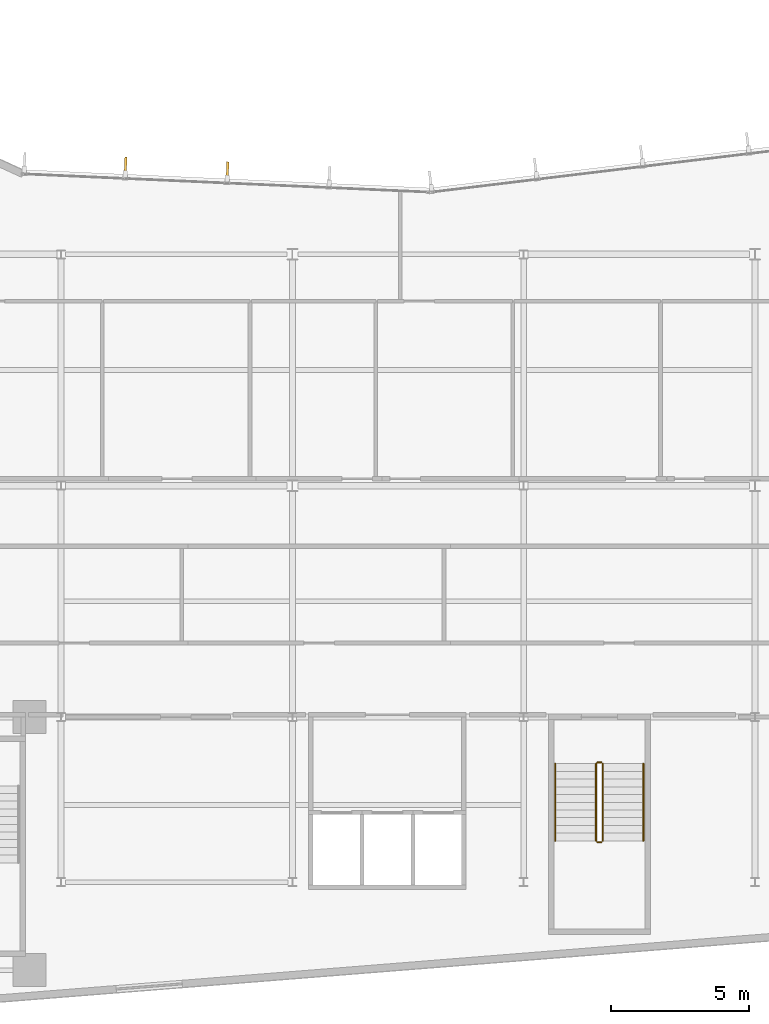
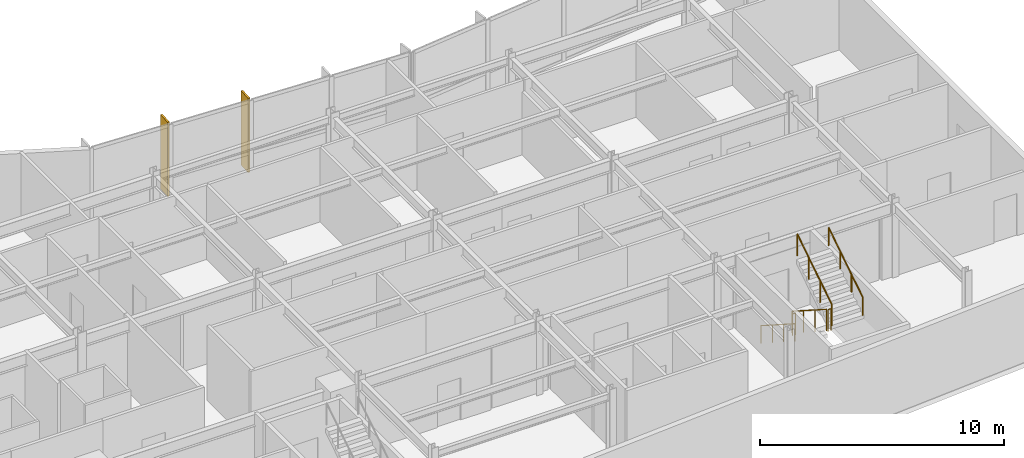
# One storey, part 15 of 18: 6 railings, 2 shading devices.
"""IFC4 building model written with IfcOpenShell, lengths in metres."""

from ifc_helpers import new_model, si_unit, direction, frame, origin, origin_2d, place, context, subcontext, project, spatial, rectangle, circle, extrude, material, layer, layer_set, type_object, element, save


model = new_model("IFC4")

# Units and contexts
model_context = context("Model", 3, precision=1e-05, world=origin(), true_north=direction((0.0, 1.0)))
body_context = subcontext(model_context, "Body", "Model", "MODEL_VIEW")
ifc_project = project(units=[si_unit("LENGTHUNIT", "METRE"), si_unit("AREAUNIT", "SQUARE_METRE"), si_unit("VOLUMEUNIT", "CUBIC_METRE"), si_unit("PLANEANGLEUNIT", "RADIAN"), si_unit("MASSUNIT", "GRAM", prefix="KILO")], contexts=[model_context])

# Site, building, storey
site_placement = place(None, origin())
site = spatial("IfcSite", under=ifc_project, at=site_placement, CompositionType="ELEMENT")
building_placement = place(site_placement, origin())
building = spatial("IfcBuilding", under=site, at=building_placement, Name="Varnakote Quay Hospital", CompositionType="ELEMENT")
storey_placement = place(building_placement, frame((0.0, 0.0, 150.75)))
storey = spatial("IfcBuildingStorey", under=building, at=storey_placement, Name="L37", CompositionType="ELEMENT", Elevation=150.75)

# Railings
ifc_material_1 = material(Name="Brushed stainless steel balustrade", Category="steel")
railing_type_1 = type_object("IfcRailingType", Name="RLG-STAIR-GUARD-1150", PredefinedType="GUARDRAIL", material=ifc_material_1)
railing_1_placement = place(storey_placement, frame((44.6298828125, 10.300048828125, 0.179443359375)))
element("IfcRailing", 1, at=railing_1_placement, inside=storey, type_object=railing_type_1, Name="L37 ST-03 stair guard 1", PredefinedType="GUARDRAIL", context=body_context, shape_type="SweptSolid", body=[
    extrude(circle(Radius=0.02392578125, at=origin_2d()), frame((0.0, 0.0, 1.076171875), z_axis=(0.0, -0.841776520102, 0.539826166654), x_axis=(1.0, 0.0, 0.0)), (0.0, 0.0, 1.0), 3.326416015625),
    extrude(circle(Radius=0.02099609375, at=origin_2d()), origin(), (0.0, 0.0, 1.0), 1.052001953125),
    extrude(circle(Radius=0.02099609375, at=origin_2d()), frame((0.0, -0.933349609375, 0.5986328125)), (0.0, 0.0, 1.0), 1.052001953125),
    extrude(circle(Radius=0.02099609375, at=origin_2d()), frame((0.0, -1.86669921875, 1.197021484375)), (0.0, 0.0, 1.0), 1.052001953125),
    extrude(circle(Radius=0.02099609375, at=origin_2d()), frame((0.0, -2.800048828125, 1.795654296875)), (0.0, 0.0, 1.0), 1.052001953125),
])
railing_2_placement = place(storey_placement, frame((44.679931640625, 7.449951171875, 1.97509765625)))
element("IfcRailing", 2, at=railing_2_placement, inside=storey, type_object=railing_type_1, Name="L37 ST-03 stair guard 2", PredefinedType="GUARDRAIL", context=body_context, shape_type="SweptSolid", body=[
    extrude(circle(Radius=0.02392578125, at=origin_2d()), frame((0.0, 0.0, 1.076171875), z_axis=(1.0, 0.0, 0.0), x_axis=(0.0, 1.0, 0.0)), (0.0, 0.0, 1.0), 0.14013671875),
    extrude(circle(Radius=0.02099609375, at=origin_2d()), origin(), (0.0, 0.0, 1.0), 1.052001953125),
    extrude(circle(Radius=0.02099609375, at=origin_2d()), frame((0.14013671875, 0.0, 0.0)), (0.0, 0.0, 1.0), 1.052001953125),
])
railing_3_placement = place(storey_placement, frame((44.8701171875, 7.5, 2.154541015625)))
element("IfcRailing", 3, at=railing_3_placement, inside=storey, type_object=railing_type_1, Name="L37 ST-03 stair guard 3", PredefinedType="GUARDRAIL", context=body_context, shape_type="SweptSolid", body=[
    extrude(circle(Radius=0.02392578125, at=origin_2d()), frame((0.0, 0.0, 1.076171875), z_axis=(0.0, 0.841809871826, 0.539774156196), x_axis=(-1.0, 0.0, 0.0)), (0.0, 0.0, 1.0), 3.326171875),
    extrude(circle(Radius=0.02099609375, at=origin_2d()), origin(), (0.0, 0.0, 1.0), 1.052001953125),
    extrude(circle(Radius=0.02099609375, at=origin_2d()), frame((0.0, 0.933349609375, 0.598388671875)), (0.0, 0.0, 1.0), 1.052001953125),
    extrude(circle(Radius=0.02099609375, at=origin_2d()), frame((0.0, 1.86669921875, 1.197021484375)), (0.0, 0.0, 1.0), 1.052001953125),
    extrude(circle(Radius=0.02099609375, at=origin_2d()), frame((0.0, 2.800048828125, 1.79541015625)), (0.0, 0.0, 1.0), 1.052001953125),
])
railing_4_placement = place(storey_placement, frame((44.679931640625, 10.35009765625, 0.0)))
element("IfcRailing", 4, at=railing_4_placement, inside=storey, type_object=railing_type_1, Name="L37 ST-03 stair guard 4", PredefinedType="GUARDRAIL", context=body_context, shape_type="SweptSolid", body=[
    extrude(circle(Radius=0.02392578125, at=origin_2d()), frame((0.0, 0.0, 1.076171875), z_axis=(1.0, 0.0, 0.0), x_axis=(0.0, 1.0, 0.0)), (0.0, 0.0, 1.0), 0.14013671875),
    extrude(circle(Radius=0.02099609375, at=origin_2d()), origin(), (0.0, 0.0, 1.0), 1.052001953125),
    extrude(circle(Radius=0.02099609375, at=origin_2d()), frame((0.14013671875, 0.0, 0.0)), (0.0, 0.0, 1.0), 1.052001953125),
])
ifc_material_2 = material(Name="Brushed stainless steel handrail", Category="steel")
railing_type_2 = type_object("IfcRailingType", Name="RLG-STAIR-HND-920", PredefinedType="HANDRAIL", material=ifc_material_2)
railing_5_placement = place(storey_placement, frame((43.14990234375, 10.300048828125, 0.179443359375)))
element("IfcRailing", 5, at=railing_5_placement, inside=storey, type_object=railing_type_2, Name="L37 ST-03 stair handrail 1", PredefinedType="HANDRAIL", context=body_context, shape_type="SweptSolid", body=[
    extrude(circle(Radius=0.02392578125, at=origin_2d()), frame((0.0, 0.0, 0.8759765625), z_axis=(0.0, -0.841776520102, 0.539826166654), x_axis=(1.0, 0.0, 0.0)), (0.0, 0.0, 1.0), 3.326416015625),
    extrude(circle(Radius=0.02099609375, at=origin_2d()), origin(), (0.0, 0.0, 1.0), 0.851806640625),
    extrude(circle(Radius=0.02099609375, at=origin_2d()), frame((0.0, -0.933349609375, 0.5986328125)), (0.0, 0.0, 1.0), 0.851806640625),
    extrude(circle(Radius=0.02099609375, at=origin_2d()), frame((0.0, -1.86669921875, 1.197021484375)), (0.0, 0.0, 1.0), 0.851806640625),
    extrude(circle(Radius=0.02099609375, at=origin_2d()), frame((0.0, -2.800048828125, 1.795654296875)), (0.0, 0.0, 1.0), 0.851806640625),
])
railing_6_placement = place(storey_placement, frame((46.35009765625, 7.5, 2.154541015625)))
element("IfcRailing", 6, at=railing_6_placement, inside=storey, type_object=railing_type_2, Name="L37 ST-03 stair handrail 2", PredefinedType="HANDRAIL", context=body_context, shape_type="SweptSolid", body=[
    extrude(circle(Radius=0.02392578125, at=origin_2d()), frame((0.0, 0.0, 0.8759765625), z_axis=(0.0, 0.841809871826, 0.539774156196), x_axis=(-1.0, 0.0, 0.0)), (0.0, 0.0, 1.0), 3.326171875),
    extrude(circle(Radius=0.02099609375, at=origin_2d()), origin(), (0.0, 0.0, 1.0), 0.851806640625),
    extrude(circle(Radius=0.02099609375, at=origin_2d()), frame((0.0, 0.933349609375, 0.598388671875)), (0.0, 0.0, 1.0), 0.851806640625),
    extrude(circle(Radius=0.02099609375, at=origin_2d()), frame((0.0, 1.86669921875, 1.197021484375)), (0.0, 0.0, 1.0), 0.851806640625),
    extrude(circle(Radius=0.02099609375, at=origin_2d()), frame((0.0, 2.800048828125, 1.79541015625)), (0.0, 0.0, 1.0), 0.851806640625),
])

# Shading devices
ifc_material_3 = material(Name="Anodised aluminium 6063-T6 Bronze", Category="aluminium")
ifc_layer = layer(ifc_material_3, 0.0849609375)
ifc_layer_set = layer_set([ifc_layer], Name="Anodised aluminium 6063-T6 Bronze")
shading_device_type = type_object("IfcShadingDeviceType", Name="SHD-BRONZE-FIN-620", PredefinedType="USERDEFINED", material=ifc_layer_set)
for number, where, z_axis, x_axis, name in (
    (7, (31.244873046875, 31.85302734375, 0.0), (0.0, 0.0, 1.0), (-0.044839922168, -0.998994184858, 0.0), "L37 Anodised Bronze Vertical Shading FIN"),
    (8, (27.541748046875, 32.01904296875, 0.0), (0.0, 0.0, 1.0), (-0.044839922168, -0.998994184858, 0.0), "L37 Anodised Bronze Vertical Shading FIN"),
):
    element("IfcShadingDevice", number, at=place(storey_placement, frame(where, z_axis=z_axis, x_axis=x_axis)), inside=storey, type_object=shading_device_type, Name=name, ObjectType="FIN", PredefinedType="USERDEFINED", context=body_context, shape_type="SweptSolid", body=[
        extrude(rectangle(XDim=0.6201171875, YDim=0.0849609375, at=origin_2d()), origin(), (0.0, 0.0, 1.0), 3.7099609375),
    ])

save(model, "model.ifc")
